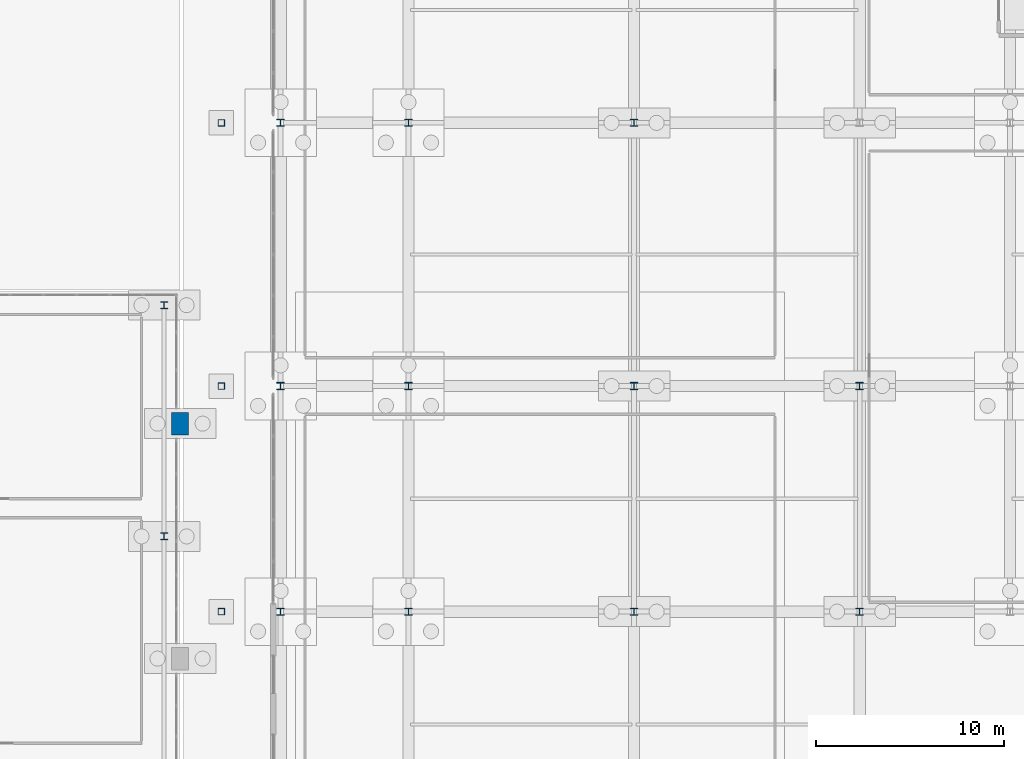
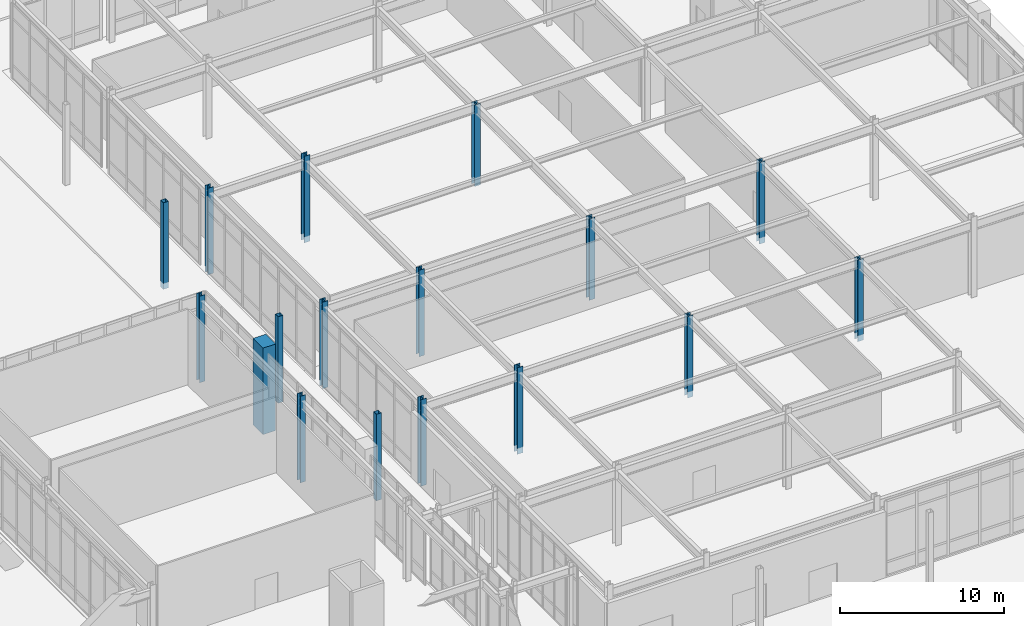
# One storey, part 15 of 143: 17 columns.
"""IFC4 building model written with IfcOpenShell, lengths in metres."""

from ifc_helpers import new_model, si_unit, derived_unit, direction, frame, origin, origin_2d, place, context, subcontext, project, spatial, rectangle, hollow_rectangle, i_section, extrude, material, material_profile, profile_set, type_object, element, save


model = new_model("IFC4")

# Units and contexts
model_context = context("Model", 3, precision=1e-05, world=origin(), true_north=direction((0.0, 1.0)))
body_context = subcontext(model_context, "Body", "Model", "MODEL_VIEW")
ifc_project = project(units=[si_unit("LENGTHUNIT", "METRE"), si_unit("AREAUNIT", "SQUARE_METRE"), si_unit("VOLUMEUNIT", "CUBIC_METRE"), si_unit("PLANEANGLEUNIT", "RADIAN"), si_unit("MASSUNIT", "GRAM", prefix="KILO"), derived_unit("THERMALTRANSMITTANCEUNIT", [(si_unit("MASSUNIT", "GRAM", prefix="KILO"), 1), (si_unit("TIMEUNIT", "SECOND"), -3), (si_unit("THERMODYNAMICTEMPERATUREUNIT", "KELVIN"), -1)])], contexts=[model_context])

# Site, building, storey
site_placement = place(None, origin())
site = spatial("IfcSite", under=ifc_project, at=site_placement, CompositionType="ELEMENT")
building_placement = place(site_placement, origin())
building = spatial("IfcBuilding", under=site, at=building_placement, Name="Valcora Ridge Arena", CompositionType="ELEMENT")
storey_placement = place(building_placement, origin())
storey = spatial("IfcBuildingStorey", under=building, at=storey_placement, Name="L00", CompositionType="ELEMENT", Elevation=0.0)

# Columns
ifc_material_1 = material(Name="Bush-hammered Andean travertine architectural concrete C45/55", Category="masonry")
ifc_material_profile_1 = material_profile(ifc_material_1, rectangle(XDim=0.89990234375, YDim=1.199951171875, at=origin_2d()), Name="RC 900x1200")
ifc_profile_set_1 = profile_set([ifc_material_profile_1], Name="Bush-hammered Andean travertine architectural concrete C45/55")
column_type_1 = type_object("IfcColumnType", Name="TY-COLUMN-C-BUTT-1200", PredefinedType="PILASTER", material=ifc_profile_set_1)
column_placement = place(storey_placement, frame((131.85009765625, 38.0, -0.449951171875), z_axis=(0.0, 0.0, 1.0), x_axis=(1.0, 0.0, 0.0)))
element("IfcColumn", 1, at=column_placement, inside=storey, type_object=column_type_1, Name="C-BUTT-1200 COL-C-BUTT-1200-0435", PredefinedType="PILASTER", context=body_context, shape_type="SweptSolid", body=[
    extrude(rectangle(XDim=0.89990234375, YDim=1.199951171875, at=origin_2d()), origin(), (0.0, 0.0, 1.0), 6.449951171875),
])
ifc_material_2 = material(Name="Steel ASTM A500 Grade C", Category="steel")
ifc_material_profile_2 = material_profile(ifc_material_2, hollow_rectangle(XDim=0.35009765625, YDim=0.35009765625, WallThickness=0.01611328125, at=origin_2d()), Name="HSS350X350X16")
ifc_profile_set_2 = profile_set([ifc_material_profile_2], Name="Steel ASTM A500 Grade C")
column_type_2 = type_object("IfcColumnType", Name="TY-COLUMN-C-COL350", PredefinedType="COLUMN", material=ifc_profile_set_2)
for number, where, z_axis, x_axis, name in (
    (2, (134.050048828125, 28.0, -0.449951171875), (0.0, 0.0, 1.0), (1.0, 0.0, 0.0), "C-COL350 COL-C-COL350-0007"),
    (3, (134.050048828125, 40.0, -0.449951171875), (0.0, 0.0, 1.0), (1.0, 0.0, 0.0), "C-COL350 COL-C-COL350-0010"),
    (4, (134.050048828125, 54.0, -0.449951171875), (0.0, 0.0, 1.0), (1.0, 0.0, 0.0), "C-COL350 COL-C-COL350-0013"),
):
    element("IfcColumn", number, at=place(storey_placement, frame(where, z_axis=z_axis, x_axis=x_axis)), inside=storey, type_object=column_type_2, Name=name, PredefinedType="COLUMN", context=body_context, shape_type="SweptSolid", body=[
        extrude(hollow_rectangle(XDim=0.35009765625, YDim=0.35009765625, WallThickness=0.01611328125, at=origin_2d()), origin(), (0.0, 0.0, 1.0), 6.449951171875),
    ])
ifc_material_3 = material(Name="Steel ASTM A572 Grade 50", Category="steel")
ifc_material_profile_3 = material_profile(ifc_material_3, i_section(OverallWidth=0.39892578125, OverallDepth=0.385986328125, WebThickness=0.02099609375, FlangeThickness=0.033203125, FilletRadius=0.01806640625, at=origin_2d()), Name="W14X176")
ifc_profile_set_3 = profile_set([ifc_material_profile_3], Name="Steel ASTM A572 Grade 50")
column_type_3 = type_object("IfcColumnType", Name="TY-COLUMN-C-STL14A", PredefinedType="COLUMN", material=ifc_profile_set_3)
for number, where, z_axis, x_axis, name in (
    (5, (137.199951171875, 28.0, -0.449951171875), (0.0, 0.0, 1.0), (1.0, 0.0, 0.0), "C-STL14A COL-C-STL14A-0003"),
    (6, (137.199951171875, 40.0, -0.449951171875), (0.0, 0.0, 1.0), (1.0, 0.0, 0.0), "C-STL14A COL-C-STL14A-0004"),
    (7, (137.199951171875, 54.0, -0.449951171875), (0.0, 0.0, 1.0), (1.0, 0.0, 0.0), "C-STL14A COL-C-STL14A-0005"),
    (8, (144.0, 28.0, -0.449951171875), (0.0, 0.0, 1.0), (1.0, 0.0, 0.0), "C-STL14A COL-C-STL14A-0010"),
    (9, (144.0, 40.0, -0.449951171875), (0.0, 0.0, 1.0), (1.0, 0.0, 0.0), "C-STL14A COL-C-STL14A-0011"),
    (10, (144.0, 54.0, -0.449951171875), (0.0, 0.0, 1.0), (1.0, 0.0, 0.0), "C-STL14A COL-C-STL14A-0012"),
):
    element("IfcColumn", number, at=place(storey_placement, frame(where, z_axis=z_axis, x_axis=x_axis)), inside=storey, type_object=column_type_3, Name=name, PredefinedType="COLUMN", context=body_context, shape_type="SweptSolid", body=[
        extrude(i_section(OverallWidth=0.39892578125, OverallDepth=0.385986328125, WebThickness=0.02099609375, FlangeThickness=0.033203125, FilletRadius=0.01806640625, at=origin_2d()), origin(), (0.0, 0.0, 1.0), 6.449951171875),
    ])
for number, where, z_axis, x_axis, name in (
    (11, (156.0, 28.0, -0.449951171875), (0.0, 0.0, 1.0), (1.0, 0.0, 0.0), "C-STL14A COL-C-STL14A-0017"),
    (12, (156.0, 40.0, -0.449951171875), (0.0, 0.0, 1.0), (1.0, 0.0, 0.0), "C-STL14A COL-C-STL14A-0018"),
    (13, (156.0, 54.0, -0.449951171875), (0.0, 0.0, 1.0), (1.0, 0.0, 0.0), "C-STL14A COL-C-STL14A-0019"),
    (14, (168.0, 28.0, -0.449951171875), (0.0, 0.0, 1.0), (1.0, 0.0, 0.0), "C-STL14A COL-C-STL14A-0024"),
    (15, (168.0, 40.0, -0.449951171875), (0.0, 0.0, 1.0), (1.0, 0.0, 0.0), "C-STL14A COL-C-STL14A-0025"),
):
    element("IfcColumn", number, at=place(storey_placement, frame(where, z_axis=z_axis, x_axis=x_axis)), inside=storey, type_object=column_type_3, Name=name, PredefinedType="COLUMN", context=body_context, shape_type="SweptSolid", body=[
        extrude(i_section(OverallWidth=0.39892578125, OverallDepth=0.385986328125, WebThickness=0.02099609375, FlangeThickness=0.033203125, FilletRadius=0.01806640625, at=origin_2d()), origin(), (0.0, 0.0, 1.0), 6.070068359375),
    ])
ifc_material_profile_4 = material_profile(ifc_material_3, i_section(OverallWidth=0.3740234375, OverallDepth=0.373046875, WebThickness=0.016357421875, FlangeThickness=0.026123046875, FilletRadius=0.01806640625, at=origin_2d()), Name="W14X132")
ifc_profile_set_4 = profile_set([ifc_material_profile_4], Name="Steel ASTM A572 Grade 50")
column_type_4 = type_object("IfcColumnType", Name="TY-COLUMN-C-STL14C", PredefinedType="COLUMN", material=ifc_profile_set_4)
for number, where, z_axis, x_axis, name in (
    (16, (131.0, 32.0, -0.449951171875), (0.0, 0.0, 1.0), (1.0, 0.0, 0.0), "C-STL14C COL-C-STL14C-0014"),
    (17, (131.0, 44.300048828125, -0.449951171875), (0.0, 0.0, 1.0), (1.0, 0.0, 0.0), "C-STL14C COL-C-STL14C-0016"),
):
    element("IfcColumn", number, at=place(storey_placement, frame(where, z_axis=z_axis, x_axis=x_axis)), inside=storey, type_object=column_type_4, Name=name, PredefinedType="COLUMN", context=body_context, shape_type="SweptSolid", body=[
        extrude(i_section(OverallWidth=0.3740234375, OverallDepth=0.373046875, WebThickness=0.016357421875, FlangeThickness=0.026123046875, FilletRadius=0.01806640625, at=origin_2d()), origin(), (0.0, 0.0, 1.0), 6.449951171875),
    ])

save(model, "model.ifc")
